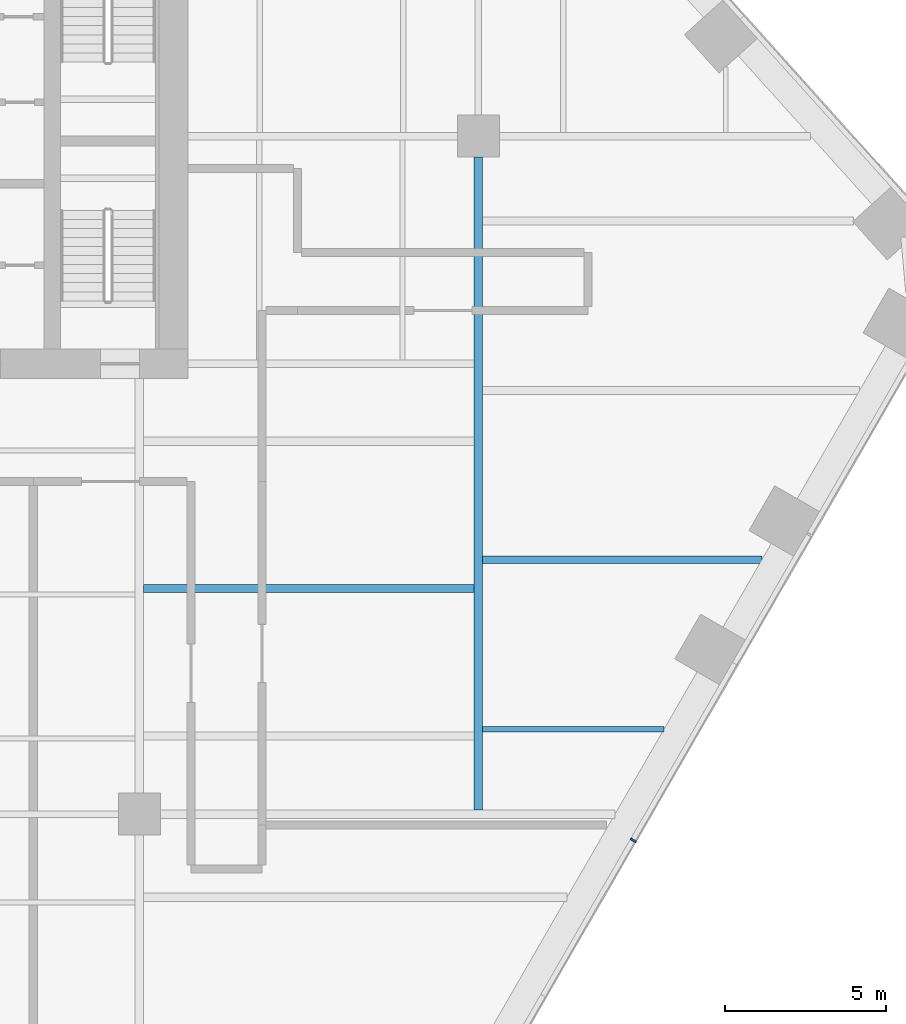
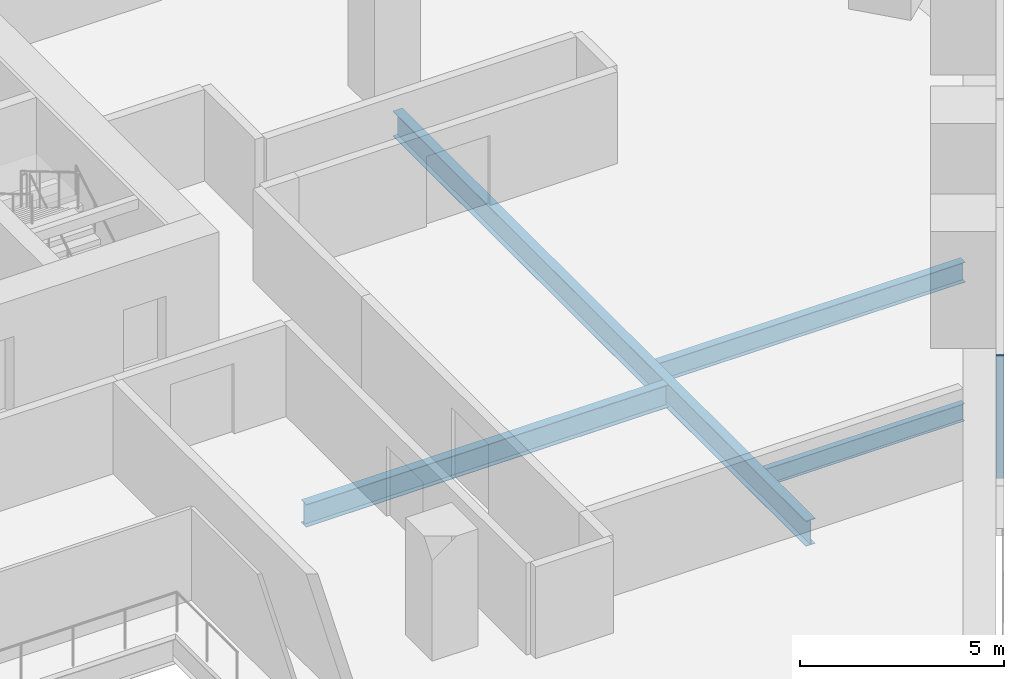
# One storey, part 7 of 19: 4 beams, 1 member, 1 element without a shape of its own.
"""IFC4 building model written with IfcOpenShell, lengths in metres."""

from ifc_helpers import new_model, si_unit, direction, frame, origin, origin_2d, place, context, subcontext, project, spatial, rectangle, i_section, extrude, material, layer, layer_set, material_profile, profile_set, type_object, element, aggregate, save


model = new_model("IFC4")

# Units and contexts
model_context = context("Model", 3, precision=1e-05, world=origin(), true_north=direction((0.0, 1.0)))
body_context = subcontext(model_context, "Body", "Model", "MODEL_VIEW")
ifc_project = project(units=[si_unit("LENGTHUNIT", "METRE"), si_unit("AREAUNIT", "SQUARE_METRE"), si_unit("VOLUMEUNIT", "CUBIC_METRE"), si_unit("PLANEANGLEUNIT", "RADIAN"), si_unit("MASSUNIT", "GRAM", prefix="KILO")], contexts=[model_context])

# Site, building, storey
site_placement = place(None, origin())
site = spatial("IfcSite", under=ifc_project, at=site_placement, CompositionType="ELEMENT")
building_placement = place(site_placement, origin())
building = spatial("IfcBuilding", under=site, at=building_placement, Name="Isthmus Gate Tower", CompositionType="ELEMENT")
storey_placement = place(building_placement, frame((0.0, 0.0, 87.949951171875)))
storey = spatial("IfcBuildingStorey", under=building, at=storey_placement, Name="L20", CompositionType="ELEMENT", Elevation=87.949951171875)

# Curtain wall, member
ifc_material_1 = material(Name="Aluminium, pale champagne anodised", Category="aluminium")
ifc_layer = layer(ifc_material_1, 0.199951171875)
ifc_layer_set = layer_set([ifc_layer], Name="CW-1 UNITISED CURTAIN WALL 200 DEEP")
curtain_wall_type = type_object("IfcCurtainWallType", Name="CW-1 UNITISED CURTAIN WALL 200 DEEP", PredefinedType="NOTDEFINED", material=ifc_layer_set)
curtain_wall_placement = place(storey_placement, origin())
curtain_wall = element("IfcCurtainWall", 1, at=curtain_wall_placement, inside=storey, type_object=curtain_wall_type, Name="CW-1 SE L20", PredefinedType="NOTDEFINED")
ifc_material_2 = material(Name="Aluminium, pale champagne anodised", Category="aluminium")
ifc_material_profile_1 = material_profile(ifc_material_2, rectangle(XDim=0.06005859375, YDim=0.199951171875, at=origin_2d()), Name="60x200")
ifc_profile_set_1 = profile_set([ifc_material_profile_1], Name="Aluminium, pale champagne anodised")
member_type = type_object("IfcMemberType", Name="CW-1 MULLION 60 X 200", PredefinedType="MULLION", material=ifc_profile_set_1)
member_placement = place(storey_placement, frame((28.802001953125, -14.3134765625, 0.0), z_axis=(0.0, 0.0, 1.0), x_axis=(0.5, 0.866025403784, 0.0)))
member = element("IfcMember", 2, at=member_placement, type_object=member_type, Name="CW-1 mullion", PredefinedType="MULLION", context=body_context, shape_type="SweptSolid", body=[
    extrude(rectangle(XDim=0.06005859375, YDim=0.199951171875, at=origin_2d()), origin(), (0.0, 0.0, 1.0), 3.650146484375),
])
aggregate(curtain_wall, [member])

# Beams
ifc_material_3 = material(Name="Structural steel ASTM A992 Gr 50", Category="steel")
ifc_material_profile_2 = material_profile(ifc_material_3, i_section(OverallWidth=0.1650390625, OverallDepth=0.52392578125, WebThickness=0.009521484375, FlangeThickness=0.010986328125, at=origin_2d()), Name="W21X44")
ifc_profile_set_2 = profile_set([ifc_material_profile_2], Name="Structural steel ASTM A992 Gr 50")
beam_type_1 = type_object("IfcBeamType", Name="STEEL FLOOR BEAM W21X44", PredefinedType="JOIST", material=ifc_profile_set_2)
beam_1_placement = place(storey_placement, frame((24.13330078125, -10.875, -0.411865234375), z_axis=(1.0, 0.0, 0.0), x_axis=(0.0, 1.0, 0.0)))
element("IfcBeam", 3, at=beam_1_placement, inside=storey, type_object=beam_type_1, Name="str-beam-L20-34-00", PredefinedType="JOIST", context=body_context, shape_type="SweptSolid", body=[
    extrude(i_section(OverallWidth=0.1650390625, OverallDepth=0.52392578125, WebThickness=0.009521484375, FlangeThickness=0.010986328125, at=origin_2d()), origin(), (0.0, 0.0, 1.0), 5.61474609375),
])
ifc_material_4 = material(Name="Structural steel ASTM A992 Gr 50", Category="steel")
ifc_material_profile_3 = material_profile(ifc_material_4, i_section(OverallWidth=0.228515625, OverallDepth=0.603271484375, WebThickness=0.010986328125, FlangeThickness=0.014404296875, at=origin_2d()), Name="W24X68")
ifc_profile_set_3 = profile_set([ifc_material_profile_3], Name="Structural steel ASTM A992 Gr 50")
beam_type_2 = type_object("IfcBeamType", Name="STEEL FLOOR BEAM W24X68", PredefinedType="JOIST", material=ifc_profile_set_3)
beam_2_placement = place(storey_placement, frame((24.13330078125, -5.625, -0.45166015625), z_axis=(1.0, 0.0, 0.0), x_axis=(0.0, 1.0, 0.0)))
element("IfcBeam", 4, at=beam_2_placement, inside=storey, type_object=beam_type_2, Name="str-beam-L20-34-01", PredefinedType="JOIST", context=body_context, shape_type="SweptSolid", body=[
    extrude(i_section(OverallWidth=0.228515625, OverallDepth=0.603271484375, WebThickness=0.010986328125, FlangeThickness=0.014404296875, at=origin_2d()), origin(), (0.0, 0.0, 1.0), 8.645751953125),
])
ifc_material_5 = material(Name="Structural steel ASTM A992 Gr 50", Category="steel")
ifc_material_profile_4 = material_profile(ifc_material_5, i_section(OverallWidth=0.25390625, OverallDepth=0.679443359375, WebThickness=0.010986328125, FlangeThickness=0.015869140625, at=origin_2d()), Name="W27X84")
ifc_profile_set_4 = profile_set([ifc_material_profile_4], Name="Structural steel ASTM A992 Gr 50")
beam_type_3 = type_object("IfcBeamType", Name="STEEL FLOOR BEAM W27X84", PredefinedType="JOIST", material=ifc_profile_set_4)
beam_3_placement = place(storey_placement, frame((13.6318359375, -6.515380859375, -0.48974609375), z_axis=(1.0, 0.0, 0.0), x_axis=(0.0, 1.0, 0.0)))
element("IfcBeam", 5, at=beam_3_placement, inside=storey, type_object=beam_type_3, Name="str-beam-L20-27-01", PredefinedType="JOIST", context=body_context, shape_type="SweptSolid", body=[
    extrude(i_section(OverallWidth=0.25390625, OverallDepth=0.679443359375, WebThickness=0.010986328125, FlangeThickness=0.015869140625, at=origin_2d()), origin(), (0.0, 0.0, 1.0), 10.23486328125),
])
ifc_material_6 = material(Name="Structural steel ASTM A992 Gr 50", Category="steel")
ifc_material_profile_5 = material_profile(ifc_material_6, i_section(OverallWidth=0.2666015625, OverallDepth=0.7587890625, WebThickness=0.014404296875, FlangeThickness=0.01904296875, at=origin_2d()), Name="W30X108")
ifc_profile_set_5 = profile_set([ifc_material_profile_5], Name="Structural steel ASTM A992 Gr 50")
beam_type_4 = type_object("IfcBeamType", Name="STEEL GIRDER W30X108", PredefinedType="BEAM", material=ifc_profile_set_5)
beam_4_placement = place(storey_placement, frame((24.0, -13.36669921875, -0.529296875), z_axis=(0.0, 1.0, 0.0), x_axis=(-1.0, 0.0, 0.0)))
element("IfcBeam", 6, at=beam_4_placement, inside=storey, type_object=beam_type_4, Name="str-girder-L20-36", PredefinedType="BEAM", context=body_context, shape_type="SweptSolid", body=[
    extrude(i_section(OverallWidth=0.2666015625, OverallDepth=0.7587890625, WebThickness=0.014404296875, FlangeThickness=0.01904296875, at=origin_2d()), origin(), (0.0, 0.0, 1.0), 20.216796875),
])

save(model, "model.ifc")
